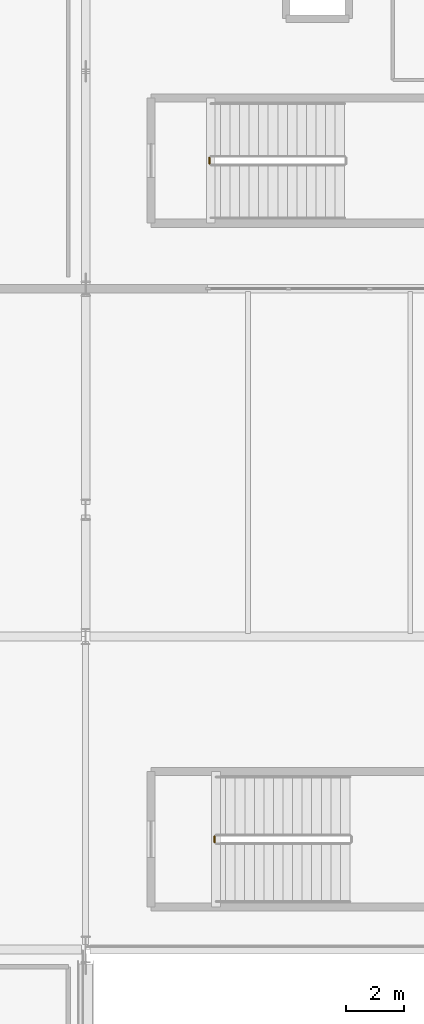
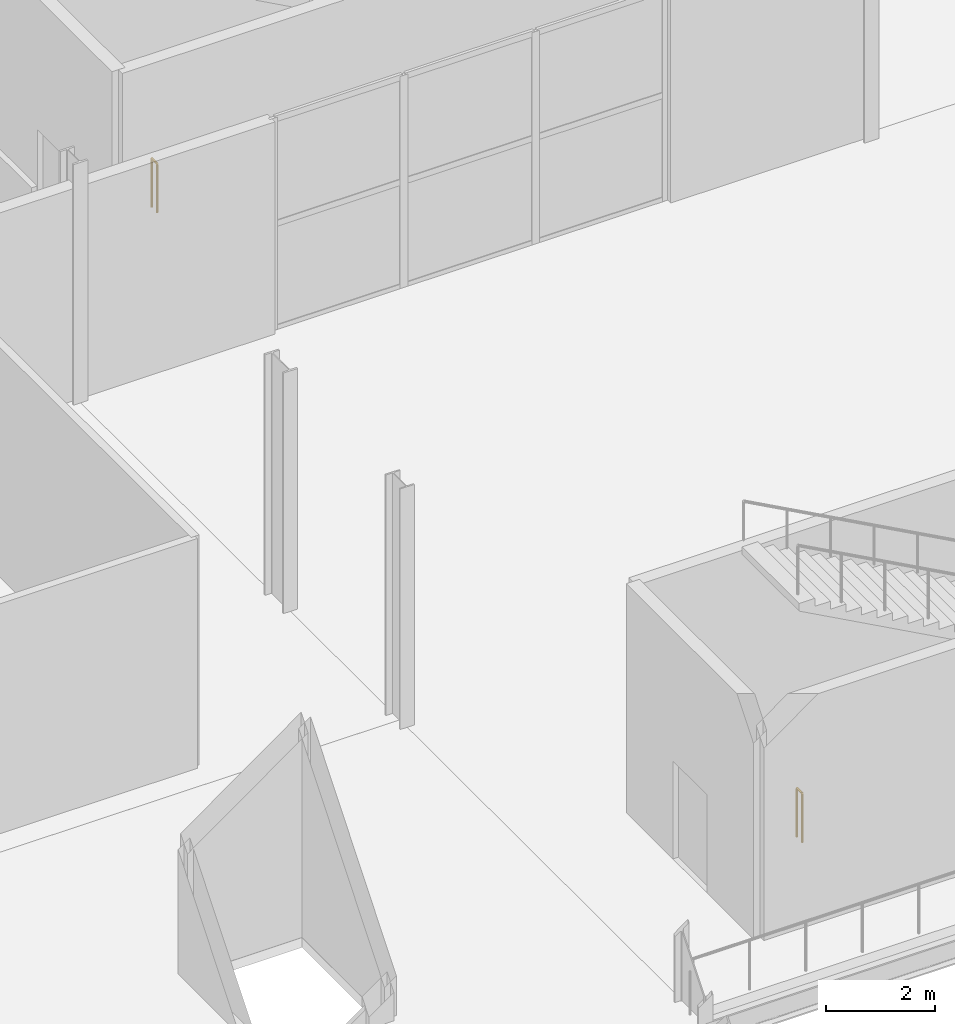
# One storey, part 71 of 84: 2 railings.
"""IFC4 building model written with IfcOpenShell, lengths in metres."""

from ifc_helpers import new_model, si_unit, direction, frame, origin, origin_2d, place, context, subcontext, project, spatial, circle, extrude, material, type_object, element, save


model = new_model("IFC4")

# Units and contexts
model_context = context("Model", 3, precision=1e-05, world=origin(), true_north=direction((0.0, 1.0)))
body_context = subcontext(model_context, "Body", "Model", "MODEL_VIEW")
ifc_project = project(units=[si_unit("LENGTHUNIT", "METRE"), si_unit("AREAUNIT", "SQUARE_METRE"), si_unit("VOLUMEUNIT", "CUBIC_METRE"), si_unit("PLANEANGLEUNIT", "RADIAN"), si_unit("MASSUNIT", "GRAM", prefix="KILO")], contexts=[model_context])

# Site, building, storey
site_placement = place(None, origin())
site = spatial("IfcSite", under=ifc_project, at=site_placement, CompositionType="ELEMENT")
building_placement = place(site_placement, origin())
building = spatial("IfcBuilding", under=site, at=building_placement, Name="Kimbaza Rail Terminus", CompositionType="ELEMENT")
storey_placement = place(building_placement, frame((0.0, 0.0, 5.39990234375)))
storey = spatial("IfcBuildingStorey", under=building, at=storey_placement, Name="L01", CompositionType="ELEMENT", Elevation=5.39990234375)

# Railings
ifc_material = material(Name="Painted tubular steel stair well guard", Category="steel")
railing_type = type_object("IfcRailingType", Name="ARC-RL-STGRD", PredefinedType="GUARDRAIL", material=ifc_material)
railing_1_placement = place(storey_placement, frame((76.27001953125, 107.320068359375, 0.0)))
element("IfcRailing", 1, at=railing_1_placement, inside=storey, type_object=railing_type, Name="L01 ST-W1 stair guard 4", PredefinedType="GUARDRAIL", context=body_context, shape_type="SweptSolid", body=[
    extrude(circle(Radius=0.02392578125, at=origin_2d()), frame((0.0, 0.0, 1.09619140625), z_axis=(0.0, 1.0, 0.0), x_axis=(-1.0, 0.0, 0.0)), (0.0, 0.0, 1.0), 0.199951171875),
    extrude(circle(Radius=0.02099609375, at=origin_2d()), origin(), (0.0, 0.0, 1.0), 1.072021484375),
    extrude(circle(Radius=0.02099609375, at=origin_2d()), frame((0.0, 0.199951171875, 0.0)), (0.0, 0.0, 1.0), 1.072021484375),
])
railing_2_placement = place(storey_placement, frame((76.449951171875, 83.89990234375, 0.0)))
element("IfcRailing", 2, at=railing_2_placement, inside=storey, type_object=railing_type, Name="L01 ST-C1 stair guard 4", PredefinedType="GUARDRAIL", context=body_context, shape_type="SweptSolid", body=[
    extrude(circle(Radius=0.02392578125, at=origin_2d()), frame((0.0, 0.0, 1.09619140625), z_axis=(0.0, 1.0, 0.0), x_axis=(-1.0, 0.0, 0.0)), (0.0, 0.0, 1.0), 0.2001953125),
    extrude(circle(Radius=0.02099609375, at=origin_2d()), origin(), (0.0, 0.0, 1.0), 1.072021484375),
    extrude(circle(Radius=0.02099609375, at=origin_2d()), frame((0.0, 0.2001953125, 0.0)), (0.0, 0.0, 1.0), 1.072021484375),
])

save(model, "model.ifc")
